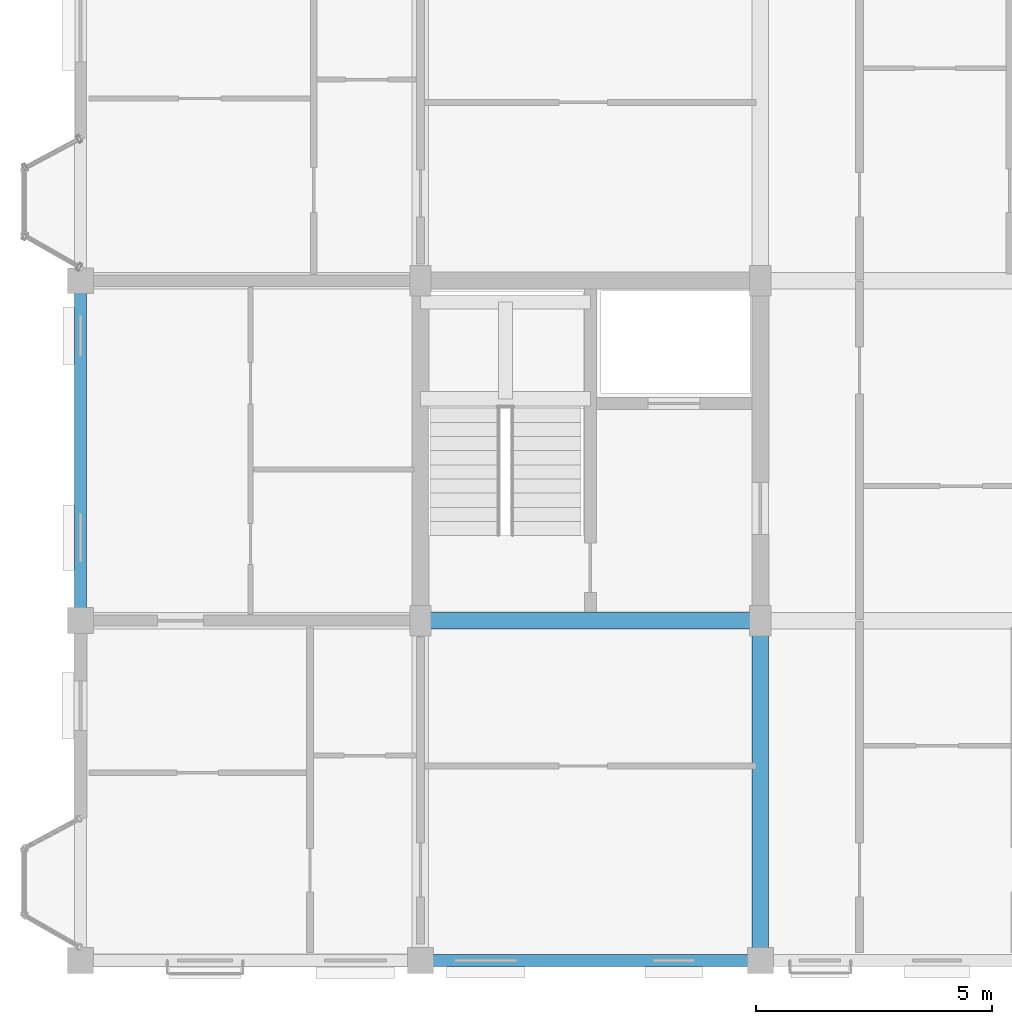
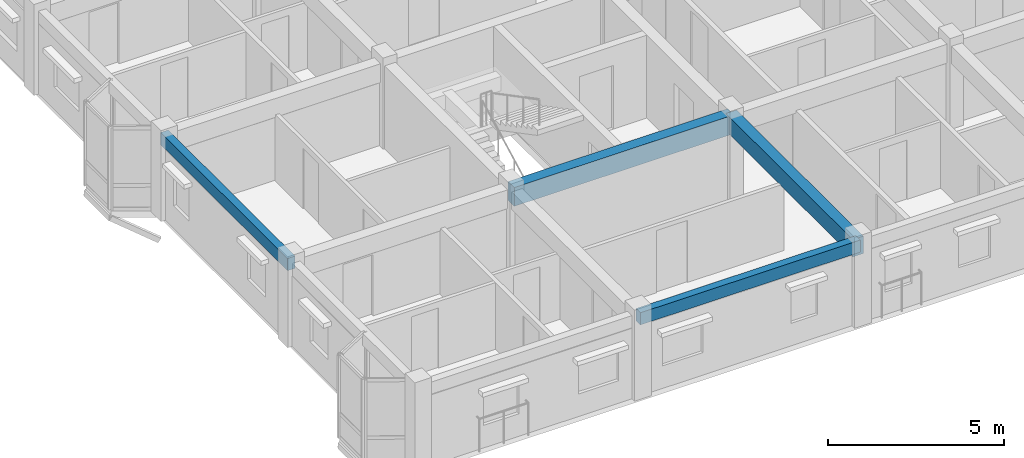
# One storey, part 3 of 79: 4 beams.
"""IFC4 building model written with IfcOpenShell, lengths in metres."""

from ifc_helpers import new_model, si_unit, direction, frame, origin, origin_2d, place, context, subcontext, project, spatial, rectangle, extrude, material, material_profile, profile_set, type_object, element, save


model = new_model("IFC4")

# Units and contexts
model_context = context("Model", 3, precision=1e-05, world=origin(), true_north=direction((0.0, 1.0)))
body_context = subcontext(model_context, "Body", "Model", "MODEL_VIEW")
ifc_project = project(units=[si_unit("LENGTHUNIT", "METRE"), si_unit("AREAUNIT", "SQUARE_METRE"), si_unit("VOLUMEUNIT", "CUBIC_METRE"), si_unit("PLANEANGLEUNIT", "RADIAN"), si_unit("MASSUNIT", "GRAM", prefix="KILO"), si_unit("THERMODYNAMICTEMPERATUREUNIT", "KELVIN"), si_unit("POWERUNIT", "WATT")], contexts=[model_context])

# Site, building, storey
site_placement = place(None, origin())
site = spatial("IfcSite", under=ifc_project, at=site_placement, CompositionType="ELEMENT")
building_placement = place(site_placement, origin())
building = spatial("IfcBuilding", under=site, at=building_placement, Name="Tavuni Mirador Residences", CompositionType="ELEMENT")
storey_placement = place(building_placement, frame((0.0, 0.0, 13.949951171875)))
storey = spatial("IfcBuildingStorey", under=building, at=storey_placement, Name="L04", CompositionType="ELEMENT", Elevation=13.949951171875)

# Beams
ifc_material = material(Name="Precast concrete C40/50", Category="concrete")
ifc_material_profile_1 = material_profile(ifc_material, rectangle(XDim=0.35009765625, YDim=0.60009765625, at=origin_2d()), Name="PC 350x600", Category="concrete")
ifc_profile_set_1 = profile_set([ifc_material_profile_1], Name="Precast concrete C40/50")
beam_type_1 = type_object("IfcBeamType", Name="BT-B600", PredefinedType="BEAM", material=ifc_profile_set_1)
beam_1_placement = place(storey_placement, frame((18.0, 7.199951171875, 2.570068359375), z_axis=(0.0, 1.0, 0.0), x_axis=(-1.0, 0.0, 0.0)))
element("IfcBeam", 1, at=beam_1_placement, inside=storey, type_object=beam_type_1, Name="BMY-BLK-A-L04-02-00", PredefinedType="BEAM", context=body_context, shape_type="SweptSolid", body=[
    extrude(rectangle(XDim=0.35009765625, YDim=0.60009765625, at=origin_2d()), origin(), (0.0, 0.0, 1.0), 7.199951171875),
])
ifc_material_profile_2 = material_profile(ifc_material, rectangle(XDim=0.35009765625, YDim=0.64990234375, at=origin_2d()), Name="PC 350x650", Category="concrete")
ifc_profile_set_2 = profile_set([ifc_material_profile_2], Name="Precast concrete C40/50")
beam_type_2 = type_object("IfcBeamType", Name="BT-B650", PredefinedType="BEAM", material=ifc_profile_set_2)
beam_2_placement = place(storey_placement, frame((10.800048828125, 14.39990234375, 2.545166015625), z_axis=(1.0, 0.0, 0.0), x_axis=(0.0, 1.0, 0.0)))
element("IfcBeam", 2, at=beam_2_placement, inside=storey, type_object=beam_type_2, Name="BMX-BLK-A-L04-01-01", PredefinedType="BEAM", context=body_context, shape_type="SweptSolid", body=[
    extrude(rectangle(XDim=0.35009765625, YDim=0.64990234375, at=origin_2d()), origin(), (0.0, 0.0, 1.0), 7.199951171875),
])
ifc_material_profile_3 = material_profile(ifc_material, rectangle(XDim=0.25, YDim=0.419921875, at=origin_2d()), Name="PC 250x420", Category="concrete")
ifc_profile_set_3 = profile_set([ifc_material_profile_3], Name="Precast concrete C40/50")
beam_type_3 = type_object("IfcBeamType", Name="BT-SP420", PredefinedType="SPANDREL", material=ifc_profile_set_3)
beam_3_placement = place(storey_placement, frame((10.800048828125, 7.199951171875, 2.66015625), z_axis=(1.0, 0.0, 0.0), x_axis=(0.0, 1.0, 0.0)))
element("IfcBeam", 3, at=beam_3_placement, inside=storey, type_object=beam_type_3, Name="BMX-BLK-A-L04-01-00", PredefinedType="SPANDREL", context=body_context, shape_type="SweptSolid", body=[
    extrude(rectangle(XDim=0.25, YDim=0.419921875, at=origin_2d()), origin(), (0.0, 0.0, 1.0), 7.199951171875),
])
beam_4_placement = place(storey_placement, frame((3.60009765625, 14.39990234375, 2.66015625), z_axis=(0.0, 1.0, 0.0), x_axis=(-1.0, 0.0, 0.0)))
element("IfcBeam", 4, at=beam_4_placement, inside=storey, type_object=beam_type_3, Name="BMY-BLK-A-L04-00-01", PredefinedType="SPANDREL", context=body_context, shape_type="SweptSolid", body=[
    extrude(rectangle(XDim=0.25, YDim=0.419921875, at=origin_2d()), origin(), (0.0, 0.0, 1.0), 7.2001953125),
])

save(model, "model.ifc")
